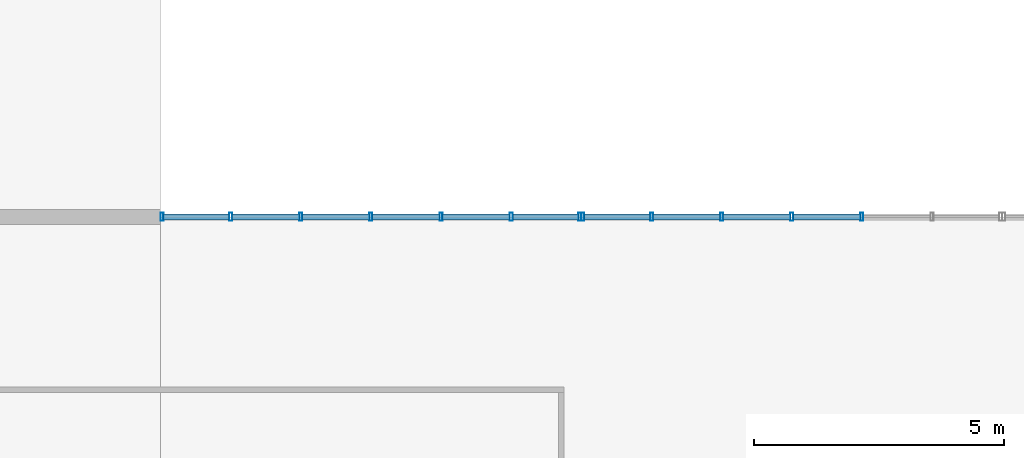
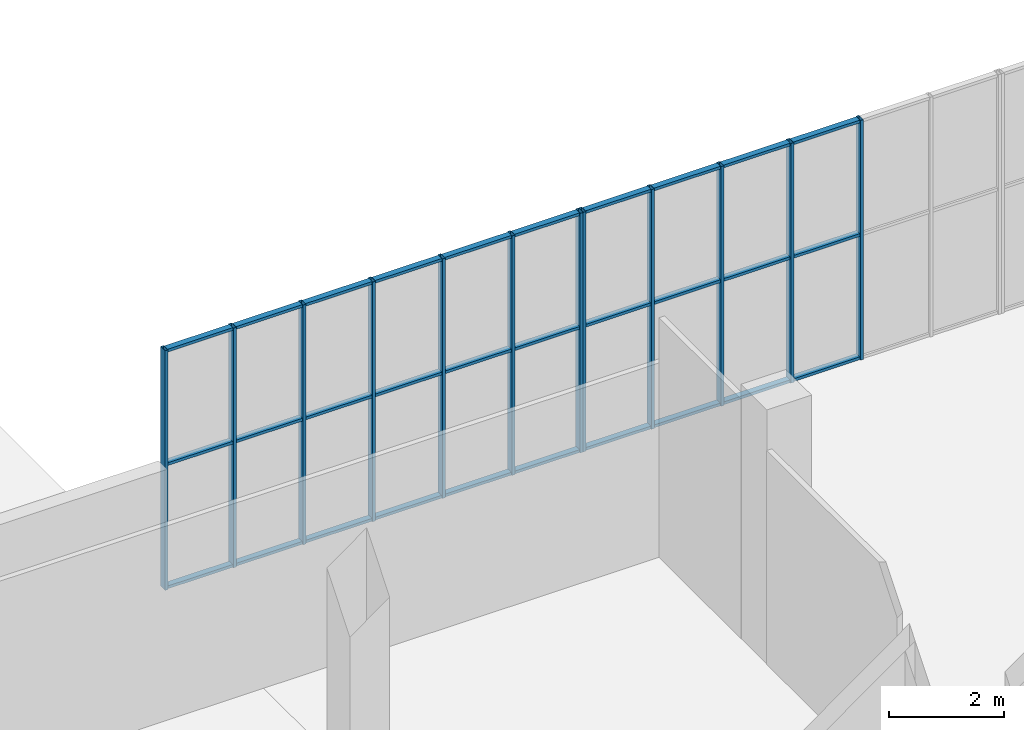
# One storey, part 32 of 91: 42 members, 2 elements without a shape of their own.
"""IFC4 building model written with IfcOpenShell, lengths in metres."""

from ifc_helpers import new_model, si_unit, direction, frame, origin, origin_2d, place, context, subcontext, project, spatial, hollow_rectangle, extrude, material, material_profile, profile_set, type_object, element, aggregate, save


model = new_model("IFC4")

# Units and contexts
model_context = context("Model", 3, precision=1e-05, world=origin(), true_north=direction((0.0, 1.0)))
body_context = subcontext(model_context, "Body", "Model", "MODEL_VIEW")
ifc_project = project(units=[si_unit("LENGTHUNIT", "METRE"), si_unit("AREAUNIT", "SQUARE_METRE"), si_unit("VOLUMEUNIT", "CUBIC_METRE"), si_unit("PLANEANGLEUNIT", "RADIAN"), si_unit("MASSUNIT", "GRAM", prefix="KILO")], contexts=[model_context])

# Site, building, storey
site_placement = place(None, origin())
site = spatial("IfcSite", under=ifc_project, at=site_placement, CompositionType="ELEMENT")
building_placement = place(site_placement, origin())
building = spatial("IfcBuilding", under=site, at=building_placement, Name="Khurvash Pelagic Aquarium", CompositionType="ELEMENT")
storey_placement = place(building_placement, origin())
storey = spatial("IfcBuildingStorey", under=building, at=storey_placement, Name="L00", CompositionType="ELEMENT", Elevation=0.0)

# Curtain wall, members
ifc_material_1 = material(Name="Anodised aluminium and low-E laminated glass", Category="aluminium")
curtain_wall_type = type_object("IfcCurtainWallType", Name="CW-02", PredefinedType="USERDEFINED", material=ifc_material_1)
curtain_wall_1_placement = place(storey_placement, origin())
curtain_wall_1 = element("IfcCurtainWall", 1, at=curtain_wall_1_placement, inside=storey, type_object=curtain_wall_type, Name="L00 Facade Unitised Curtain Wall CW-02 0094", ObjectType="UNITISED CURTAIN WALL", PredefinedType="USERDEFINED")
ifc_material_2 = material(Name="Extruded aluminium AW-6063-T6", Category="aluminium")
ifc_material_profile_1 = material_profile(ifc_material_2, hollow_rectangle(XDim=0.06005859375, YDim=0.159912109375, WallThickness=0.00390625, at=origin_2d()), Name="CWM60X160X4")
ifc_profile_set_1 = profile_set([ifc_material_profile_1], Name="Extruded aluminium AW-6063-T6")
member_type_1 = type_object("IfcMemberType", Name="CM-02", PredefinedType="MULLION", material=ifc_profile_set_1)
member_1_placement = place(storey_placement, frame((98.0, 36.550048828125, 0.0), z_axis=(0.0, 0.0, 1.0), x_axis=(-1.0, 0.0, 0.0)))
member_1 = element("IfcMember", 2, at=member_1_placement, type_object=member_type_1, Name="CW-02 mullion 3", PredefinedType="MULLION", context=body_context, shape_type="SweptSolid", body=[
    extrude(hollow_rectangle(XDim=0.06005859375, YDim=0.159912109375, WallThickness=0.00390625, at=origin_2d()), origin(), (0.0, 0.0, 1.0), 5.090087890625),
])
member_2_placement = place(storey_placement, frame((96.60009765625, 36.550048828125, 0.0), z_axis=(0.0, 0.0, 1.0), x_axis=(-1.0, 0.0, 0.0)))
member_2 = element("IfcMember", 3, at=member_2_placement, type_object=member_type_1, Name="CW-02 mullion 4", PredefinedType="MULLION", context=body_context, shape_type="SweptSolid", body=[
    extrude(hollow_rectangle(XDim=0.06005859375, YDim=0.159912109375, WallThickness=0.00390625, at=origin_2d()), origin(), (0.0, 0.0, 1.0), 5.090087890625),
])
member_3_placement = place(storey_placement, frame((95.199951171875, 36.550048828125, 0.0), z_axis=(0.0, 0.0, 1.0), x_axis=(-1.0, 0.0, 0.0)))
member_3 = element("IfcMember", 4, at=member_3_placement, type_object=member_type_1, Name="CW-02 mullion 5", PredefinedType="MULLION", context=body_context, shape_type="SweptSolid", body=[
    extrude(hollow_rectangle(XDim=0.06005859375, YDim=0.159912109375, WallThickness=0.00390625, at=origin_2d()), origin(), (0.0, 0.0, 1.0), 5.090087890625),
])
member_4_placement = place(storey_placement, frame((93.800048828125, 36.550048828125, 0.0), z_axis=(0.0, 0.0, 1.0), x_axis=(-1.0, 0.0, 0.0)))
member_4 = element("IfcMember", 5, at=member_4_placement, type_object=member_type_1, Name="CW-02 mullion 6", PredefinedType="MULLION", context=body_context, shape_type="SweptSolid", body=[
    extrude(hollow_rectangle(XDim=0.06005859375, YDim=0.159912109375, WallThickness=0.00390625, at=origin_2d()), origin(), (0.0, 0.0, 1.0), 5.090087890625),
])
member_5_placement = place(storey_placement, frame((92.429931640625, 36.550048828125, 0.0), z_axis=(0.0, 0.0, 1.0), x_axis=(-1.0, 0.0, 0.0)))
member_5 = element("IfcMember", 6, at=member_5_placement, type_object=member_type_1, Name="CW-02 mullion 7", PredefinedType="MULLION", context=body_context, shape_type="SweptSolid", body=[
    extrude(hollow_rectangle(XDim=0.06005859375, YDim=0.159912109375, WallThickness=0.00390625, at=origin_2d()), origin(), (0.0, 0.0, 1.0), 5.090087890625),
])

curtain_wall_2_placement = place(storey_placement, origin())
curtain_wall_2 = element("IfcCurtainWall", 7, at=curtain_wall_2_placement, inside=storey, type_object=curtain_wall_type, Name="L00 Facade Unitised Curtain Wall CW-02 0095", ObjectType="UNITISED CURTAIN WALL", PredefinedType="USERDEFINED")
member_6_placement = place(storey_placement, frame((92.3701171875, 36.550048828125, 0.0), z_axis=(0.0, 0.0, 1.0), x_axis=(-1.0, 0.0, 0.0)))
member_6 = element("IfcMember", 8, at=member_6_placement, type_object=member_type_1, Name="CW-02 mullion 1", PredefinedType="MULLION", context=body_context, shape_type="SweptSolid", body=[
    extrude(hollow_rectangle(XDim=0.06005859375, YDim=0.159912109375, WallThickness=0.00390625, at=origin_2d()), origin(), (0.0, 0.0, 1.0), 5.090087890625),
])
member_7_placement = place(storey_placement, frame((91.0, 36.550048828125, 0.0), z_axis=(0.0, 0.0, 1.0), x_axis=(-1.0, 0.0, 0.0)))
member_7 = element("IfcMember", 9, at=member_7_placement, type_object=member_type_1, Name="CW-02 mullion 2", PredefinedType="MULLION", context=body_context, shape_type="SweptSolid", body=[
    extrude(hollow_rectangle(XDim=0.06005859375, YDim=0.159912109375, WallThickness=0.00390625, at=origin_2d()), origin(), (0.0, 0.0, 1.0), 5.090087890625),
])
member_8_placement = place(storey_placement, frame((89.60009765625, 36.550048828125, 0.0), z_axis=(0.0, 0.0, 1.0), x_axis=(-1.0, 0.0, 0.0)))
member_8 = element("IfcMember", 10, at=member_8_placement, type_object=member_type_1, Name="CW-02 mullion 3", PredefinedType="MULLION", context=body_context, shape_type="SweptSolid", body=[
    extrude(hollow_rectangle(XDim=0.06005859375, YDim=0.159912109375, WallThickness=0.00390625, at=origin_2d()), origin(), (0.0, 0.0, 1.0), 5.090087890625),
])
member_9_placement = place(storey_placement, frame((88.199951171875, 36.550048828125, 0.0), z_axis=(0.0, 0.0, 1.0), x_axis=(-1.0, 0.0, 0.0)))
member_9 = element("IfcMember", 11, at=member_9_placement, type_object=member_type_1, Name="CW-02 mullion 4", PredefinedType="MULLION", context=body_context, shape_type="SweptSolid", body=[
    extrude(hollow_rectangle(XDim=0.06005859375, YDim=0.159912109375, WallThickness=0.00390625, at=origin_2d()), origin(), (0.0, 0.0, 1.0), 5.090087890625),
])
member_10_placement = place(storey_placement, frame((86.800048828125, 36.550048828125, 0.0), z_axis=(0.0, 0.0, 1.0), x_axis=(-1.0, 0.0, 0.0)))
member_10 = element("IfcMember", 12, at=member_10_placement, type_object=member_type_1, Name="CW-02 mullion 5", PredefinedType="MULLION", context=body_context, shape_type="SweptSolid", body=[
    extrude(hollow_rectangle(XDim=0.06005859375, YDim=0.159912109375, WallThickness=0.00390625, at=origin_2d()), origin(), (0.0, 0.0, 1.0), 5.090087890625),
])
member_11_placement = place(storey_placement, frame((85.39990234375, 36.550048828125, 0.0), z_axis=(0.0, 0.0, 1.0), x_axis=(-1.0, 0.0, 0.0)))
member_11 = element("IfcMember", 13, at=member_11_placement, type_object=member_type_1, Name="CW-02 mullion 6", PredefinedType="MULLION", context=body_context, shape_type="SweptSolid", body=[
    extrude(hollow_rectangle(XDim=0.06005859375, YDim=0.159912109375, WallThickness=0.00390625, at=origin_2d()), origin(), (0.0, 0.0, 1.0), 5.090087890625),
])
member_12_placement = place(storey_placement, frame((84.030029296875, 36.550048828125, 0.0), z_axis=(0.0, 0.0, 1.0), x_axis=(-1.0, 0.0, 0.0)))
member_12 = element("IfcMember", 14, at=member_12_placement, type_object=member_type_1, Name="CW-02 mullion 7", PredefinedType="MULLION", context=body_context, shape_type="SweptSolid", body=[
    extrude(hollow_rectangle(XDim=0.06005859375, YDim=0.159912109375, WallThickness=0.00390625, at=origin_2d()), origin(), (0.0, 0.0, 1.0), 5.090087890625),
])

# Member
ifc_material_profile_2 = material_profile(ifc_material_2, hollow_rectangle(XDim=0.1201171875, YDim=0.06005859375, WallThickness=0.00390625, at=origin_2d()), Name="CWT120X60X4")
ifc_profile_set_2 = profile_set([ifc_material_profile_2], Name="Extruded aluminium AW-6063-T6")
member_type_2 = type_object("IfcMemberType", Name="CT-02", PredefinedType="USERDEFINED", material=ifc_profile_set_2)
member_13_placement = place(storey_placement, frame((97.969970703125, 36.550048828125, 0.030029296875), z_axis=(-1.0, 0.0, 0.0), x_axis=(0.0, -1.0, 0.0)))
member_13 = element("IfcMember", 15, at=member_13_placement, type_object=member_type_2, Name="CW-02 transom 3.1", ObjectType="TRANSOM", PredefinedType="USERDEFINED", context=body_context, shape_type="SweptSolid", body=[
    extrude(hollow_rectangle(XDim=0.1201171875, YDim=0.06005859375, WallThickness=0.00390625, at=origin_2d()), origin(), (0.0, 0.0, 1.0), 1.340087890625),
])

member_14_placement = place(storey_placement, frame((97.969970703125, 36.550048828125, 2.64697265625), z_axis=(-1.0, 0.0, 0.0), x_axis=(0.0, -1.0, 0.0)))
member_14 = element("IfcMember", 16, at=member_14_placement, type_object=member_type_2, Name="CW-02 transom 3.2", ObjectType="TRANSOM", PredefinedType="USERDEFINED", context=body_context, shape_type="SweptSolid", body=[
    extrude(hollow_rectangle(XDim=0.1201171875, YDim=0.06005859375, WallThickness=0.00390625, at=origin_2d()), origin(), (0.0, 0.0, 1.0), 1.340087890625),
])

member_15_placement = place(storey_placement, frame((97.969970703125, 36.550048828125, 5.06005859375), z_axis=(-1.0, 0.0, 0.0), x_axis=(0.0, -1.0, 0.0)))
member_15 = element("IfcMember", 17, at=member_15_placement, type_object=member_type_2, Name="CW-02 transom 3.3", ObjectType="TRANSOM", PredefinedType="USERDEFINED", context=body_context, shape_type="SweptSolid", body=[
    extrude(hollow_rectangle(XDim=0.1201171875, YDim=0.06005859375, WallThickness=0.00390625, at=origin_2d()), origin(), (0.0, 0.0, 1.0), 1.340087890625),
])

member_16_placement = place(storey_placement, frame((96.570068359375, 36.550048828125, 0.030029296875), z_axis=(-1.0, 0.0, 0.0), x_axis=(0.0, -1.0, 0.0)))
member_16 = element("IfcMember", 18, at=member_16_placement, type_object=member_type_2, Name="CW-02 transom 4.1", ObjectType="TRANSOM", PredefinedType="USERDEFINED", context=body_context, shape_type="SweptSolid", body=[
    extrude(hollow_rectangle(XDim=0.1201171875, YDim=0.06005859375, WallThickness=0.00390625, at=origin_2d()), origin(), (0.0, 0.0, 1.0), 1.340087890625),
])

member_17_placement = place(storey_placement, frame((96.570068359375, 36.550048828125, 2.64697265625), z_axis=(-1.0, 0.0, 0.0), x_axis=(0.0, -1.0, 0.0)))
member_17 = element("IfcMember", 19, at=member_17_placement, type_object=member_type_2, Name="CW-02 transom 4.2", ObjectType="TRANSOM", PredefinedType="USERDEFINED", context=body_context, shape_type="SweptSolid", body=[
    extrude(hollow_rectangle(XDim=0.1201171875, YDim=0.06005859375, WallThickness=0.00390625, at=origin_2d()), origin(), (0.0, 0.0, 1.0), 1.340087890625),
])

member_18_placement = place(storey_placement, frame((96.570068359375, 36.550048828125, 5.06005859375), z_axis=(-1.0, 0.0, 0.0), x_axis=(0.0, -1.0, 0.0)))
member_18 = element("IfcMember", 20, at=member_18_placement, type_object=member_type_2, Name="CW-02 transom 4.3", ObjectType="TRANSOM", PredefinedType="USERDEFINED", context=body_context, shape_type="SweptSolid", body=[
    extrude(hollow_rectangle(XDim=0.1201171875, YDim=0.06005859375, WallThickness=0.00390625, at=origin_2d()), origin(), (0.0, 0.0, 1.0), 1.340087890625),
])

member_19_placement = place(storey_placement, frame((95.169921875, 36.550048828125, 0.030029296875), z_axis=(-1.0, 0.0, 0.0), x_axis=(0.0, -1.0, 0.0)))
member_19 = element("IfcMember", 21, at=member_19_placement, type_object=member_type_2, Name="CW-02 transom 5.1", ObjectType="TRANSOM", PredefinedType="USERDEFINED", context=body_context, shape_type="SweptSolid", body=[
    extrude(hollow_rectangle(XDim=0.1201171875, YDim=0.06005859375, WallThickness=0.00390625, at=origin_2d()), origin(), (0.0, 0.0, 1.0), 1.33984375),
])

member_20_placement = place(storey_placement, frame((95.169921875, 36.550048828125, 2.64697265625), z_axis=(-1.0, 0.0, 0.0), x_axis=(0.0, -1.0, 0.0)))
member_20 = element("IfcMember", 22, at=member_20_placement, type_object=member_type_2, Name="CW-02 transom 5.2", ObjectType="TRANSOM", PredefinedType="USERDEFINED", context=body_context, shape_type="SweptSolid", body=[
    extrude(hollow_rectangle(XDim=0.1201171875, YDim=0.06005859375, WallThickness=0.00390625, at=origin_2d()), origin(), (0.0, 0.0, 1.0), 1.33984375),
])

member_21_placement = place(storey_placement, frame((95.169921875, 36.550048828125, 5.06005859375), z_axis=(-1.0, 0.0, 0.0), x_axis=(0.0, -1.0, 0.0)))
member_21 = element("IfcMember", 23, at=member_21_placement, type_object=member_type_2, Name="CW-02 transom 5.3", ObjectType="TRANSOM", PredefinedType="USERDEFINED", context=body_context, shape_type="SweptSolid", body=[
    extrude(hollow_rectangle(XDim=0.1201171875, YDim=0.06005859375, WallThickness=0.00390625, at=origin_2d()), origin(), (0.0, 0.0, 1.0), 1.33984375),
])

member_22_placement = place(storey_placement, frame((93.77001953125, 36.550048828125, 0.030029296875), z_axis=(-1.0, 0.0, 0.0), x_axis=(0.0, -1.0, 0.0)))
member_22 = element("IfcMember", 24, at=member_22_placement, type_object=member_type_2, Name="CW-02 transom 6.1", ObjectType="TRANSOM", PredefinedType="USERDEFINED", context=body_context, shape_type="SweptSolid", body=[
    extrude(hollow_rectangle(XDim=0.1201171875, YDim=0.06005859375, WallThickness=0.00390625, at=origin_2d()), origin(), (0.0, 0.0, 1.0), 1.31005859375),
])

member_23_placement = place(storey_placement, frame((93.77001953125, 36.550048828125, 2.64697265625), z_axis=(-1.0, 0.0, 0.0), x_axis=(0.0, -1.0, 0.0)))
member_23 = element("IfcMember", 25, at=member_23_placement, type_object=member_type_2, Name="CW-02 transom 6.2", ObjectType="TRANSOM", PredefinedType="USERDEFINED", context=body_context, shape_type="SweptSolid", body=[
    extrude(hollow_rectangle(XDim=0.1201171875, YDim=0.06005859375, WallThickness=0.00390625, at=origin_2d()), origin(), (0.0, 0.0, 1.0), 1.31005859375),
])

member_24_placement = place(storey_placement, frame((93.77001953125, 36.550048828125, 5.06005859375), z_axis=(-1.0, 0.0, 0.0), x_axis=(0.0, -1.0, 0.0)))
member_24 = element("IfcMember", 26, at=member_24_placement, type_object=member_type_2, Name="CW-02 transom 6.3", ObjectType="TRANSOM", PredefinedType="USERDEFINED", context=body_context, shape_type="SweptSolid", body=[
    extrude(hollow_rectangle(XDim=0.1201171875, YDim=0.06005859375, WallThickness=0.00390625, at=origin_2d()), origin(), (0.0, 0.0, 1.0), 1.31005859375),
])

aggregate(curtain_wall_1, [member_1, member_2, member_3, member_4, member_5, member_13, member_14, member_15, member_16, member_17, member_18, member_19, member_20, member_21, member_22, member_23, member_24])

member_25_placement = place(storey_placement, frame((92.340087890625, 36.550048828125, 0.030029296875), z_axis=(-1.0, 0.0, 0.0), x_axis=(0.0, -1.0, 0.0)))
member_25 = element("IfcMember", 27, at=member_25_placement, type_object=member_type_2, Name="CW-02 transom 1.1", ObjectType="TRANSOM", PredefinedType="USERDEFINED", context=body_context, shape_type="SweptSolid", body=[
    extrude(hollow_rectangle(XDim=0.1201171875, YDim=0.06005859375, WallThickness=0.00390625, at=origin_2d()), origin(), (0.0, 0.0, 1.0), 1.31005859375),
])

member_26_placement = place(storey_placement, frame((92.340087890625, 36.550048828125, 2.64697265625), z_axis=(-1.0, 0.0, 0.0), x_axis=(0.0, -1.0, 0.0)))
member_26 = element("IfcMember", 28, at=member_26_placement, type_object=member_type_2, Name="CW-02 transom 1.2", ObjectType="TRANSOM", PredefinedType="USERDEFINED", context=body_context, shape_type="SweptSolid", body=[
    extrude(hollow_rectangle(XDim=0.1201171875, YDim=0.06005859375, WallThickness=0.00390625, at=origin_2d()), origin(), (0.0, 0.0, 1.0), 1.31005859375),
])

member_27_placement = place(storey_placement, frame((92.340087890625, 36.550048828125, 5.06005859375), z_axis=(-1.0, 0.0, 0.0), x_axis=(0.0, -1.0, 0.0)))
member_27 = element("IfcMember", 29, at=member_27_placement, type_object=member_type_2, Name="CW-02 transom 1.3", ObjectType="TRANSOM", PredefinedType="USERDEFINED", context=body_context, shape_type="SweptSolid", body=[
    extrude(hollow_rectangle(XDim=0.1201171875, YDim=0.06005859375, WallThickness=0.00390625, at=origin_2d()), origin(), (0.0, 0.0, 1.0), 1.31005859375),
])

member_28_placement = place(storey_placement, frame((90.969970703125, 36.550048828125, 0.030029296875), z_axis=(-1.0, 0.0, 0.0), x_axis=(0.0, -1.0, 0.0)))
member_28 = element("IfcMember", 30, at=member_28_placement, type_object=member_type_2, Name="CW-02 transom 2.1", ObjectType="TRANSOM", PredefinedType="USERDEFINED", context=body_context, shape_type="SweptSolid", body=[
    extrude(hollow_rectangle(XDim=0.1201171875, YDim=0.06005859375, WallThickness=0.00390625, at=origin_2d()), origin(), (0.0, 0.0, 1.0), 1.340087890625),
])

member_29_placement = place(storey_placement, frame((90.969970703125, 36.550048828125, 2.64697265625), z_axis=(-1.0, 0.0, 0.0), x_axis=(0.0, -1.0, 0.0)))
member_29 = element("IfcMember", 31, at=member_29_placement, type_object=member_type_2, Name="CW-02 transom 2.2", ObjectType="TRANSOM", PredefinedType="USERDEFINED", context=body_context, shape_type="SweptSolid", body=[
    extrude(hollow_rectangle(XDim=0.1201171875, YDim=0.06005859375, WallThickness=0.00390625, at=origin_2d()), origin(), (0.0, 0.0, 1.0), 1.340087890625),
])

member_30_placement = place(storey_placement, frame((90.969970703125, 36.550048828125, 5.06005859375), z_axis=(-1.0, 0.0, 0.0), x_axis=(0.0, -1.0, 0.0)))
member_30 = element("IfcMember", 32, at=member_30_placement, type_object=member_type_2, Name="CW-02 transom 2.3", ObjectType="TRANSOM", PredefinedType="USERDEFINED", context=body_context, shape_type="SweptSolid", body=[
    extrude(hollow_rectangle(XDim=0.1201171875, YDim=0.06005859375, WallThickness=0.00390625, at=origin_2d()), origin(), (0.0, 0.0, 1.0), 1.340087890625),
])

member_31_placement = place(storey_placement, frame((89.570068359375, 36.550048828125, 0.030029296875), z_axis=(-1.0, 0.0, 0.0), x_axis=(0.0, -1.0, 0.0)))
member_31 = element("IfcMember", 33, at=member_31_placement, type_object=member_type_2, Name="CW-02 transom 3.1", ObjectType="TRANSOM", PredefinedType="USERDEFINED", context=body_context, shape_type="SweptSolid", body=[
    extrude(hollow_rectangle(XDim=0.1201171875, YDim=0.06005859375, WallThickness=0.00390625, at=origin_2d()), origin(), (0.0, 0.0, 1.0), 1.340087890625),
])

member_32_placement = place(storey_placement, frame((89.570068359375, 36.550048828125, 2.64697265625), z_axis=(-1.0, 0.0, 0.0), x_axis=(0.0, -1.0, 0.0)))
member_32 = element("IfcMember", 34, at=member_32_placement, type_object=member_type_2, Name="CW-02 transom 3.2", ObjectType="TRANSOM", PredefinedType="USERDEFINED", context=body_context, shape_type="SweptSolid", body=[
    extrude(hollow_rectangle(XDim=0.1201171875, YDim=0.06005859375, WallThickness=0.00390625, at=origin_2d()), origin(), (0.0, 0.0, 1.0), 1.340087890625),
])

member_33_placement = place(storey_placement, frame((89.570068359375, 36.550048828125, 5.06005859375), z_axis=(-1.0, 0.0, 0.0), x_axis=(0.0, -1.0, 0.0)))
member_33 = element("IfcMember", 35, at=member_33_placement, type_object=member_type_2, Name="CW-02 transom 3.3", ObjectType="TRANSOM", PredefinedType="USERDEFINED", context=body_context, shape_type="SweptSolid", body=[
    extrude(hollow_rectangle(XDim=0.1201171875, YDim=0.06005859375, WallThickness=0.00390625, at=origin_2d()), origin(), (0.0, 0.0, 1.0), 1.340087890625),
])

member_34_placement = place(storey_placement, frame((88.169921875, 36.550048828125, 0.030029296875), z_axis=(-1.0, 0.0, 0.0), x_axis=(0.0, -1.0, 0.0)))
member_34 = element("IfcMember", 36, at=member_34_placement, type_object=member_type_2, Name="CW-02 transom 4.1", ObjectType="TRANSOM", PredefinedType="USERDEFINED", context=body_context, shape_type="SweptSolid", body=[
    extrude(hollow_rectangle(XDim=0.1201171875, YDim=0.06005859375, WallThickness=0.00390625, at=origin_2d()), origin(), (0.0, 0.0, 1.0), 1.33984375),
])

member_35_placement = place(storey_placement, frame((88.169921875, 36.550048828125, 2.64697265625), z_axis=(-1.0, 0.0, 0.0), x_axis=(0.0, -1.0, 0.0)))
member_35 = element("IfcMember", 37, at=member_35_placement, type_object=member_type_2, Name="CW-02 transom 4.2", ObjectType="TRANSOM", PredefinedType="USERDEFINED", context=body_context, shape_type="SweptSolid", body=[
    extrude(hollow_rectangle(XDim=0.1201171875, YDim=0.06005859375, WallThickness=0.00390625, at=origin_2d()), origin(), (0.0, 0.0, 1.0), 1.33984375),
])

member_36_placement = place(storey_placement, frame((88.169921875, 36.550048828125, 5.06005859375), z_axis=(-1.0, 0.0, 0.0), x_axis=(0.0, -1.0, 0.0)))
member_36 = element("IfcMember", 38, at=member_36_placement, type_object=member_type_2, Name="CW-02 transom 4.3", ObjectType="TRANSOM", PredefinedType="USERDEFINED", context=body_context, shape_type="SweptSolid", body=[
    extrude(hollow_rectangle(XDim=0.1201171875, YDim=0.06005859375, WallThickness=0.00390625, at=origin_2d()), origin(), (0.0, 0.0, 1.0), 1.33984375),
])

member_37_placement = place(storey_placement, frame((86.77001953125, 36.550048828125, 0.030029296875), z_axis=(-1.0, 0.0, 0.0), x_axis=(0.0, -1.0, 0.0)))
member_37 = element("IfcMember", 39, at=member_37_placement, type_object=member_type_2, Name="CW-02 transom 5.1", ObjectType="TRANSOM", PredefinedType="USERDEFINED", context=body_context, shape_type="SweptSolid", body=[
    extrude(hollow_rectangle(XDim=0.1201171875, YDim=0.06005859375, WallThickness=0.00390625, at=origin_2d()), origin(), (0.0, 0.0, 1.0), 1.340087890625),
])

member_38_placement = place(storey_placement, frame((86.77001953125, 36.550048828125, 2.64697265625), z_axis=(-1.0, 0.0, 0.0), x_axis=(0.0, -1.0, 0.0)))
member_38 = element("IfcMember", 40, at=member_38_placement, type_object=member_type_2, Name="CW-02 transom 5.2", ObjectType="TRANSOM", PredefinedType="USERDEFINED", context=body_context, shape_type="SweptSolid", body=[
    extrude(hollow_rectangle(XDim=0.1201171875, YDim=0.06005859375, WallThickness=0.00390625, at=origin_2d()), origin(), (0.0, 0.0, 1.0), 1.340087890625),
])

member_39_placement = place(storey_placement, frame((86.77001953125, 36.550048828125, 5.06005859375), z_axis=(-1.0, 0.0, 0.0), x_axis=(0.0, -1.0, 0.0)))
member_39 = element("IfcMember", 41, at=member_39_placement, type_object=member_type_2, Name="CW-02 transom 5.3", ObjectType="TRANSOM", PredefinedType="USERDEFINED", context=body_context, shape_type="SweptSolid", body=[
    extrude(hollow_rectangle(XDim=0.1201171875, YDim=0.06005859375, WallThickness=0.00390625, at=origin_2d()), origin(), (0.0, 0.0, 1.0), 1.340087890625),
])

member_40_placement = place(storey_placement, frame((85.3701171875, 36.550048828125, 0.030029296875), z_axis=(-1.0, 0.0, 0.0), x_axis=(0.0, -1.0, 0.0)))
member_40 = element("IfcMember", 42, at=member_40_placement, type_object=member_type_2, Name="CW-02 transom 6.1", ObjectType="TRANSOM", PredefinedType="USERDEFINED", context=body_context, shape_type="SweptSolid", body=[
    extrude(hollow_rectangle(XDim=0.1201171875, YDim=0.06005859375, WallThickness=0.00390625, at=origin_2d()), origin(), (0.0, 0.0, 1.0), 1.31005859375),
])

member_41_placement = place(storey_placement, frame((85.3701171875, 36.550048828125, 2.64697265625), z_axis=(-1.0, 0.0, 0.0), x_axis=(0.0, -1.0, 0.0)))
member_41 = element("IfcMember", 43, at=member_41_placement, type_object=member_type_2, Name="CW-02 transom 6.2", ObjectType="TRANSOM", PredefinedType="USERDEFINED", context=body_context, shape_type="SweptSolid", body=[
    extrude(hollow_rectangle(XDim=0.1201171875, YDim=0.06005859375, WallThickness=0.00390625, at=origin_2d()), origin(), (0.0, 0.0, 1.0), 1.31005859375),
])

member_42_placement = place(storey_placement, frame((85.3701171875, 36.550048828125, 5.06005859375), z_axis=(-1.0, 0.0, 0.0), x_axis=(0.0, -1.0, 0.0)))
member_42 = element("IfcMember", 44, at=member_42_placement, type_object=member_type_2, Name="CW-02 transom 6.3", ObjectType="TRANSOM", PredefinedType="USERDEFINED", context=body_context, shape_type="SweptSolid", body=[
    extrude(hollow_rectangle(XDim=0.1201171875, YDim=0.06005859375, WallThickness=0.00390625, at=origin_2d()), origin(), (0.0, 0.0, 1.0), 1.31005859375),
])

aggregate(curtain_wall_2, [member_6, member_7, member_8, member_9, member_10, member_11, member_12, member_25, member_26, member_27, member_28, member_29, member_30, member_31, member_32, member_33, member_34, member_35, member_36, member_37, member_38, member_39, member_40, member_41, member_42])

save(model, "model.ifc")
